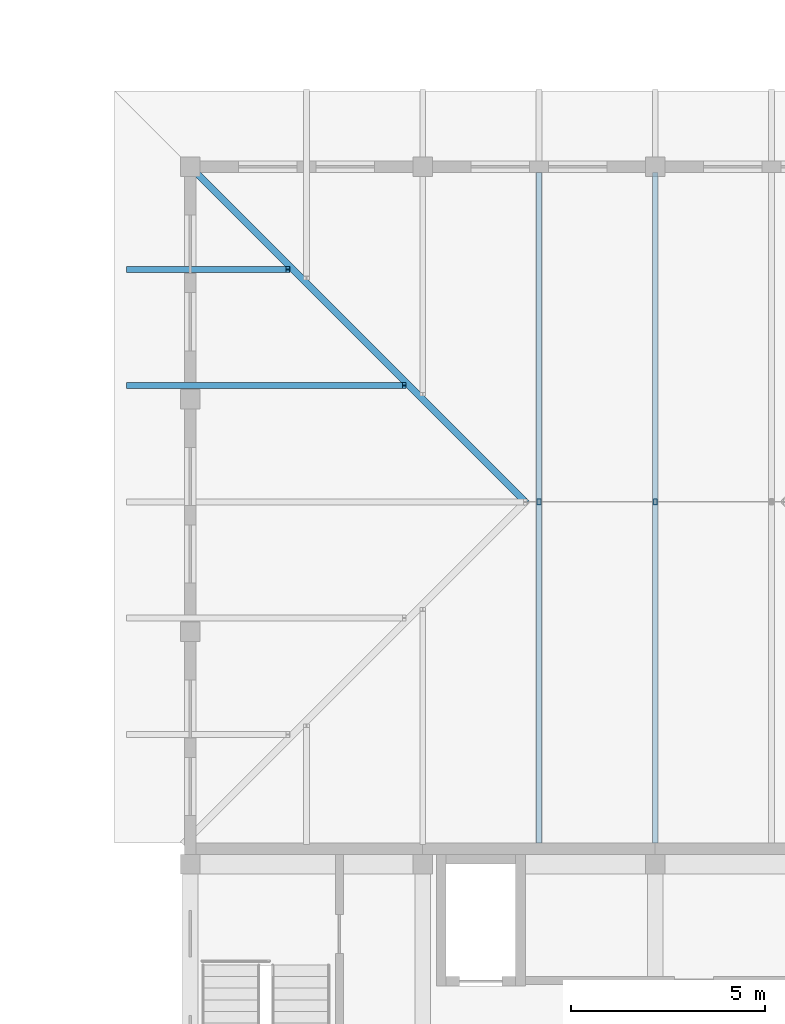
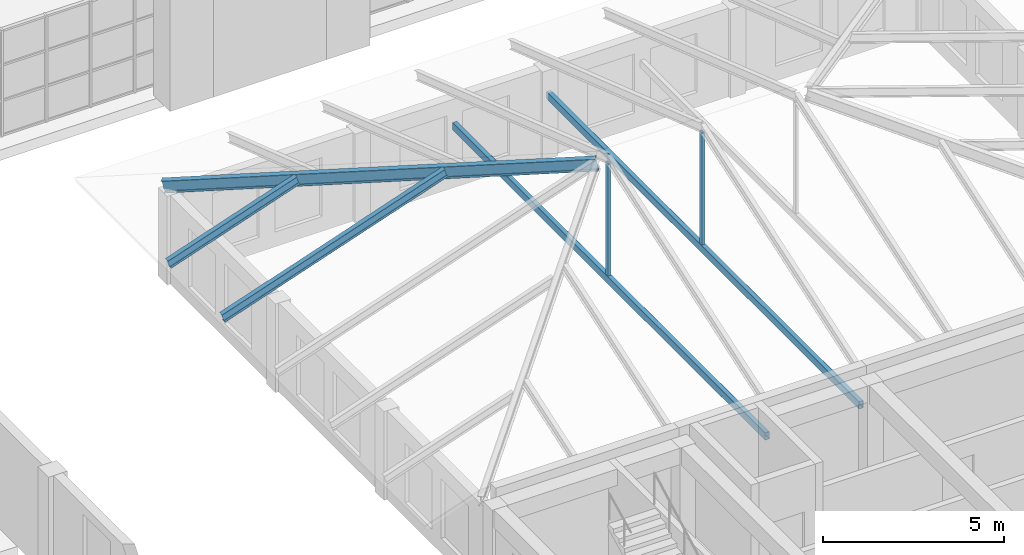
# One storey, part 9 of 82: 7 members.
"""IFC4 building model written with IfcOpenShell, lengths in metres."""

import ifcopenshell
import ifcopenshell.guid

model = None  # the IFC model being written
_history = None  # IfcOwnerHistory: only IFC2X3 demands one
_inside = {}  # id of a spatial element -> (the spatial element, [elements in it])
_under = {}  # id of a project, library or spatial element -> (it, [spatial elements below it])
_declared = {}  # id of a project -> (the project, [libraries it declares])
_typed = {}  # id of a type object -> (the type object, [elements of that type])
_made_of = {}  # id of a material, layer set ... -> (it, [elements and type objects made of it])


def new_model(schema):
    """Start an empty IFC model of exactly this schema.

    Asked for "IFC4X3", IfcOpenShell would pick the latest addendum, in which some entities
    have other attributes; the version numbers below select the first issue.
    IFC2X3 requires an IfcOwnerHistory on every rooted entity: one is made here for all.
    """
    global model, _history
    if schema == "IFC4X3":
        model = ifcopenshell.file(schema_version=(4, 3, 0, 0))
    else:
        model = ifcopenshell.file(schema=schema)
    _inside.clear()
    _under.clear()
    _declared.clear()
    _typed.clear()
    _made_of.clear()
    _history = None
    if model.schema == "IFC2X3":
        org = make("IfcOrganization", Name="unknown")
        user = make(
            "IfcPersonAndOrganization",
            ThePerson=make("IfcPerson", FamilyName="unknown"),
            TheOrganization=org,
        )
        app = make(
            "IfcApplication",
            ApplicationDeveloper=org,
            Version="unknown",
            ApplicationFullName="unknown",
            ApplicationIdentifier="unknown",
        )
        _history = make(
            "IfcOwnerHistory",
            OwningUser=user,
            OwningApplication=app,
            ChangeAction="ADDED",
            CreationDate=0,
        )
    return model


def make(cls, **values):
    """One entity of the class cls with the attributes given. An attribute that is None is left unset."""
    return model.create_entity(
        cls, **{name: value for name, value in values.items() if value is not None}
    )


def rooted(cls, **values):
    """An entity with a GlobalId (a new one), such as an element, a storey or a relation."""
    return make(cls, GlobalId=ifcopenshell.guid.new(), OwnerHistory=_history, **values)


def si_unit(unit_type, name, prefix=None):
    """IfcSIUnit, for example si_unit("LENGTHUNIT", "METRE", prefix="MILLI")."""
    return make("IfcSIUnit", UnitType=unit_type, Prefix=prefix, Name=name)


def assignment(units):
    """IfcUnitAssignment: the units of a project."""
    return None if units is None else make("IfcUnitAssignment", Units=units)


def point(xyz):
    """IfcCartesianPoint."""
    return None if xyz is None else make("IfcCartesianPoint", Coordinates=xyz)


def direction(xyz):
    """IfcDirection."""
    return None if xyz is None else make("IfcDirection", DirectionRatios=xyz)


def frame(location, z_axis=None, x_axis=None):
    """IfcAxis2Placement3D, a coordinate frame: its origin and axes. An axis left out is left unset."""
    return make(
        "IfcAxis2Placement3D",
        Location=point(location),
        Axis=direction(z_axis),
        RefDirection=direction(x_axis),
    )


def frame_2d(location, x_axis=None):
    """IfcAxis2Placement2D, a coordinate frame in the plane: its origin and x axis."""
    return make(
        "IfcAxis2Placement2D", Location=point(location), RefDirection=direction(x_axis)
    )


def origin():
    """The frame at (0, 0, 0) with its axes left unset."""
    return frame((0.0, 0.0, 0.0))


def origin_2d():
    """The frame at (0, 0) in the plane with its x axis left unset."""
    return frame_2d((0.0, 0.0))


def place(relative_to, where):
    """IfcLocalPlacement: puts the frame where relative to a parent placement (None: the world)."""
    return make(
        "IfcLocalPlacement", PlacementRelTo=relative_to, RelativePlacement=where
    )


def context(
    kind, dimensions, precision=None, world=None, true_north=None, identifier=None
):
    """IfcGeometricRepresentationContext, for example the 3D "Model" context."""
    return make(
        "IfcGeometricRepresentationContext",
        ContextIdentifier=identifier,
        ContextType=kind,
        CoordinateSpaceDimension=dimensions,
        Precision=precision,
        WorldCoordinateSystem=world,
        TrueNorth=true_north,
    )


def subcontext(parent, identifier, kind, view, scale=None):
    """IfcGeometricRepresentationSubContext, for example "Body" below "Model"."""
    return make(
        "IfcGeometricRepresentationSubContext",
        ContextIdentifier=identifier,
        ContextType=kind,
        ParentContext=parent,
        TargetScale=scale,
        TargetView=view,
    )


def project(units=None, contexts=None):
    """IfcProject with its units and contexts."""
    return rooted(
        "IfcProject",
        Name="project",
        RepresentationContexts=contexts,
        UnitsInContext=assignment(units),
    )


def spatial(cls, under=None, at=None, **own):
    """A site, building, storey or space (cls), placed at a placement, below another one or the project."""
    s = rooted(cls, ObjectPlacement=at, **own)
    if under is not None:
        _under.setdefault(under.id(), (under, []))[1].append(s)
    return s


def profile(cls, at=None, kind="AREA", **sizes):
    """A parametric profile (cls). Its sizes go by their IFC names, for example OverallWidth=200.0."""
    return make(cls, ProfileType=kind, Position=at, **sizes)


def hollow_rectangle(**sizes):
    """IfcRectangleHollowProfileDef."""
    return profile("IfcRectangleHollowProfileDef", **sizes)


def i_section(**sizes):
    """IfcIShapeProfileDef."""
    return profile("IfcIShapeProfileDef", **sizes)


def extrude(swept, where, along, depth):
    """IfcExtrudedAreaSolid: the profile swept, set in the frame where, extruded along a direction by depth."""
    return make(
        "IfcExtrudedAreaSolid",
        SweptArea=swept,
        Position=where,
        ExtrudedDirection=direction(along),
        Depth=depth,
    )


def shape(context_of_items, identifier, shape_type, items):
    """IfcShapeRepresentation: the items that make up one representation, for example the "Body"."""
    return make(
        "IfcShapeRepresentation",
        ContextOfItems=context_of_items,
        RepresentationIdentifier=identifier,
        RepresentationType=shape_type,
        Items=items,
    )


def material(Name=None, Category=None):
    """IfcMaterial."""
    return make("IfcMaterial", Name=Name, Category=Category)


def material_profile(
    of_material, cross_section, Name=None, Category=None, Priority=None
):
    """IfcMaterialProfile: a cross section and its material."""
    return make(
        "IfcMaterialProfile",
        Name=Name,
        Material=of_material,
        Profile=cross_section,
        Priority=Priority,
        Category=Category,
    )


def profile_set(profiles, Name=None, composite=None):
    """IfcMaterialProfileSet."""
    return make(
        "IfcMaterialProfileSet",
        Name=Name,
        MaterialProfiles=profiles,
        CompositeProfile=composite,
    )


def made_of(thing, what):
    """Note that an element or type object is made of a material, layer set ...; save() writes the relation."""
    if what is not None:
        _made_of.setdefault(what.id(), (what, []))[1].append(thing)
    return thing


def type_object(cls, material=None, **own):
    """A type object (cls), such as IfcWallType, which elements share."""
    return made_of(rooted(cls, **own), material)


def element(
    cls,
    number,
    at=None,
    inside=None,
    cuts=None,
    type_object=None,
    material=None,
    context=None,
    identifier="Body",
    shape_type=None,
    held_by="IfcProductDefinitionShape",
    body=None,
    shapes=None,
    **own,
):
    """One element of the class cls, such as IfcWall. Its Tag is "e" and its number.

    at: its placement. inside: the storey or other place that contains it. cuts: it is an
    opening in that element (IfcRelVoidsElement). A single representation is given by context,
    identifier, shape_type and body (its items); several are given by shapes. held_by: the class
    of the entity that holds the representations. save() writes the other relations.
    """
    e = rooted(cls, Tag="e%d" % number, ObjectPlacement=at, **own)
    if body is not None:
        shapes = [shape(context, identifier, shape_type, body)]
    if shapes is not None:
        e.Representation = make(held_by, Representations=shapes)
    if inside is not None:
        _inside.setdefault(inside.id(), (inside, []))[1].append(e)
    if cuts is not None:
        rooted(
            "IfcRelVoidsElement", RelatingBuildingElement=cuts, RelatedOpeningElement=e
        )
    if type_object is not None:
        _typed.setdefault(type_object.id(), (type_object, []))[1].append(e)
    return made_of(e, material)


def aggregate(whole, parts):
    """IfcRelAggregates: a whole, such as a stair, and the parts it consists of."""
    return rooted("IfcRelAggregates", RelatingObject=whole, RelatedObjects=parts)


def save(model, path):
    """Write the relations noted so far, then the file.

    IfcRelAggregates (storeys below a building ...), IfcRelContainedInSpatialStructure (elements
    in a storey), IfcRelDefinesByType, IfcRelAssociatesMaterial and IfcRelDeclares: one each for
    every whole, place, type object, material and project.
    """
    for whole, parts in _under.values():
        aggregate(whole, parts)
    for where, things in _inside.values():
        rooted(
            "IfcRelContainedInSpatialStructure",
            RelatedElements=things,
            RelatingStructure=where,
        )
    for kind, things in _typed.values():
        rooted("IfcRelDefinesByType", RelatedObjects=things, RelatingType=kind)
    for what, things in _made_of.values():
        rooted("IfcRelAssociatesMaterial", RelatedObjects=things, RelatingMaterial=what)
    for by, libraries in _declared.values():
        rooted("IfcRelDeclares", RelatingContext=by, RelatedDefinitions=libraries)
    model.write(path)


model = new_model("IFC4")

# Units and contexts
model_context = context("Model", 3, precision=1e-05, world=origin(), true_north=direction((0.0, 1.0)))
body_context = subcontext(model_context, "Body", "Model", "MODEL_VIEW")
ifc_project = project(units=[si_unit("LENGTHUNIT", "METRE"), si_unit("AREAUNIT", "SQUARE_METRE"), si_unit("VOLUMEUNIT", "CUBIC_METRE"), si_unit("PLANEANGLEUNIT", "RADIAN"), si_unit("MASSUNIT", "GRAM", prefix="KILO")], contexts=[model_context])

# Site, building, storey
site_placement = place(None, origin())
site = spatial("IfcSite", under=ifc_project, at=site_placement, CompositionType="ELEMENT")
building_placement = place(site_placement, origin())
building = spatial("IfcBuilding", under=site, at=building_placement, Name="Elbe Cascade School", CompositionType="ELEMENT")
storey_placement = place(building_placement, frame((0.0, 0.0, 4.5)))
storey = spatial("IfcBuildingStorey", under=building, at=storey_placement, Name="L01", CompositionType="ELEMENT", Elevation=4.5)

# Members
ifc_material_1 = material(Name="Steel S355J2", Category="steel")
ifc_material_profile_1 = material_profile(ifc_material_1, i_section(OverallWidth=0.179931640625, OverallDepth=0.39990234375, WebThickness=0.008544921875, FlangeThickness=0.013427734375, FilletRadius=0.02099609375, at=origin_2d()), Name="IPE 400")
ifc_profile_set_1 = profile_set([ifc_material_profile_1], Name="Steel S355J2")
member_type_1 = type_object("IfcMemberType", Name="Dining hip rafter IPE 400", PredefinedType="RAFTER", material=ifc_profile_set_1)
member_1_placement = place(storey_placement, frame((38.85009765625, 33.14990234375, 3.08642578125), z_axis=(0.687415254114, -0.687415254114, 0.234351310691), x_axis=(0.707106781187, 0.707106781187, 0.0)))
element("IfcMember", 1, at=member_1_placement, inside=storey, type_object=member_type_1, Name="Dining hip rafter IPE 400 M19", PredefinedType="RAFTER", context=body_context, shape_type="SweptSolid", body=[
    extrude(i_section(OverallWidth=0.179931640625, OverallDepth=0.39990234375, WebThickness=0.008544921875, FlangeThickness=0.013427734375, FilletRadius=0.02099609375, at=origin_2d()), origin(), (0.0, 0.0, 1.0), 12.80126953125),
])
ifc_material_2 = material(Name="Steel S355J2", Category="steel")
ifc_material_profile_2 = material_profile(ifc_material_2, i_section(OverallWidth=0.14990234375, OverallDepth=0.300048828125, WebThickness=0.007080078125, FlangeThickness=0.0107421875, FilletRadius=0.014892578125, at=origin_2d()), Name="IPE 300")
ifc_profile_set_2 = profile_set([ifc_material_profile_2], Name="Steel S355J2")
member_type_2 = type_object("IfcMemberType", Name="Dining roof rafter IPE 300", PredefinedType="RAFTER", material=ifc_profile_set_2)
member_2_placement = place(storey_placement, frame((37.39990234375, 27.35009765625, 2.656982421875), z_axis=(0.946510413369, 0.0, 0.322673267228), x_axis=(0.0, 1.0, 0.0)))
element("IfcMember", 2, at=member_2_placement, inside=storey, type_object=member_type_2, Name="Dining roof rafter IPE 300 M18", PredefinedType="RAFTER", context=body_context, shape_type="SweptSolid", body=[
    extrude(i_section(OverallWidth=0.14990234375, OverallDepth=0.300048828125, WebThickness=0.007080078125, FlangeThickness=0.0107421875, FilletRadius=0.014892578125, at=origin_2d()), origin(), (0.0, 0.0, 1.0), 7.525390625),
])
member_3_placement = place(storey_placement, frame((37.39990234375, 30.35009765625, 2.656982421875), z_axis=(0.946509021013, 0.0, 0.322677351452), x_axis=(0.0, 1.0, 0.0)))
element("IfcMember", 3, at=member_3_placement, inside=storey, type_object=member_type_2, Name="Dining roof rafter IPE 300 M18", PredefinedType="RAFTER", context=body_context, shape_type="SweptSolid", body=[
    extrude(i_section(OverallWidth=0.14990234375, OverallDepth=0.300048828125, WebThickness=0.007080078125, FlangeThickness=0.0107421875, FilletRadius=0.014892578125, at=origin_2d()), origin(), (0.0, 0.0, 1.0), 4.355712890625),
])
ifc_material_3 = material(Name="Steel S355J2H", Category="steel")
ifc_material_profile_3 = material_profile(ifc_material_3, hollow_rectangle(XDim=0.10009765625, YDim=0.14990234375, WallThickness=0.008056640625, InnerFilletRadius=0.008056640625, OuterFilletRadius=0.011962890625, at=origin_2d()), Name="RHS 150x100x8")
ifc_profile_set_3 = profile_set([ifc_material_profile_3], Name="Steel S355J2H")
member_type_3 = type_object("IfcMemberType", Name="Dining truss post RHS 150x100x8", PredefinedType="POST", material=ifc_profile_set_3)
for number, where, z_axis, x_axis, name in (
    (4, (48.0, 24.35009765625, 2.218017578125), (0.0, 0.0, 1.0), (1.0, 0.0, 0.0), "Dining truss post RHS 150x100x8 M22"),
    (5, (51.0, 24.35009765625, 2.218017578125), (0.0, 0.0, 1.0), (1.0, 0.0, 0.0), "Dining truss post RHS 150x100x8 M22"),
):
    element("IfcMember", number, at=place(storey_placement, frame(where, z_axis=z_axis, x_axis=x_axis)), inside=storey, type_object=member_type_3, Name=name, PredefinedType="POST", context=body_context, shape_type="SweptSolid", body=[
        extrude(hollow_rectangle(XDim=0.10009765625, YDim=0.14990234375, WallThickness=0.008056640625, InnerFilletRadius=0.008056640625, OuterFilletRadius=0.011962890625, at=origin_2d()), origin(), (0.0, 0.0, 1.0), 3.783447265625),
    ])
ifc_material_4 = material(Name="Steel S355J2H", Category="steel")
ifc_material_profile_4 = material_profile(ifc_material_4, hollow_rectangle(XDim=0.14990234375, YDim=0.25, WallThickness=0.010009765625, InnerFilletRadius=0.010009765625, OuterFilletRadius=0.014892578125, at=origin_2d()), Name="RHS 250x150x10")
ifc_profile_set_4 = profile_set([ifc_material_profile_4], Name="Steel S355J2H")
member_type_4 = type_object("IfcMemberType", Name="Dining truss tie RHS 250x150x10", PredefinedType="USERDEFINED", material=ifc_profile_set_4)
for number, where, z_axis, x_axis, name in (
    (6, (48.0, 15.550048828125, 2.093017578125), (0.0, 1.0, 0.0), (-1.0, 0.0, 0.0), "Dining truss tie RHS 250x150x10 M21"),
    (7, (51.0, 15.550048828125, 2.093017578125), (0.0, 1.0, 0.0), (-1.0, 0.0, 0.0), "Dining truss tie RHS 250x150x10 M21"),
):
    element("IfcMember", number, at=place(storey_placement, frame(where, z_axis=z_axis, x_axis=x_axis)), inside=storey, type_object=member_type_4, Name=name, ObjectType="TIE", PredefinedType="USERDEFINED", context=body_context, shape_type="SweptSolid", body=[
        extrude(hollow_rectangle(XDim=0.14990234375, YDim=0.25, WallThickness=0.010009765625, InnerFilletRadius=0.010009765625, OuterFilletRadius=0.014892578125, at=origin_2d()), origin(), (0.0, 0.0, 1.0), 17.300048828125),
    ])

save(model, "model.ifc")
